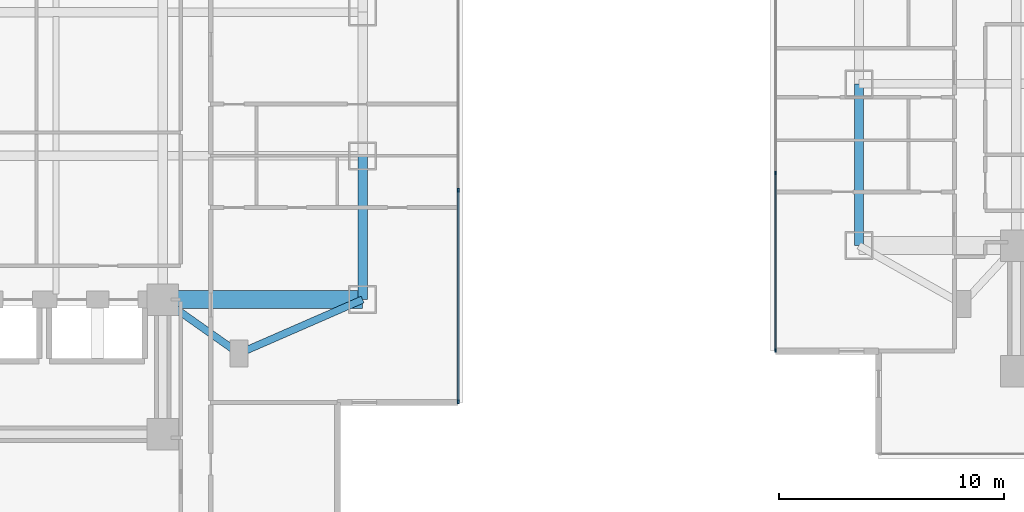
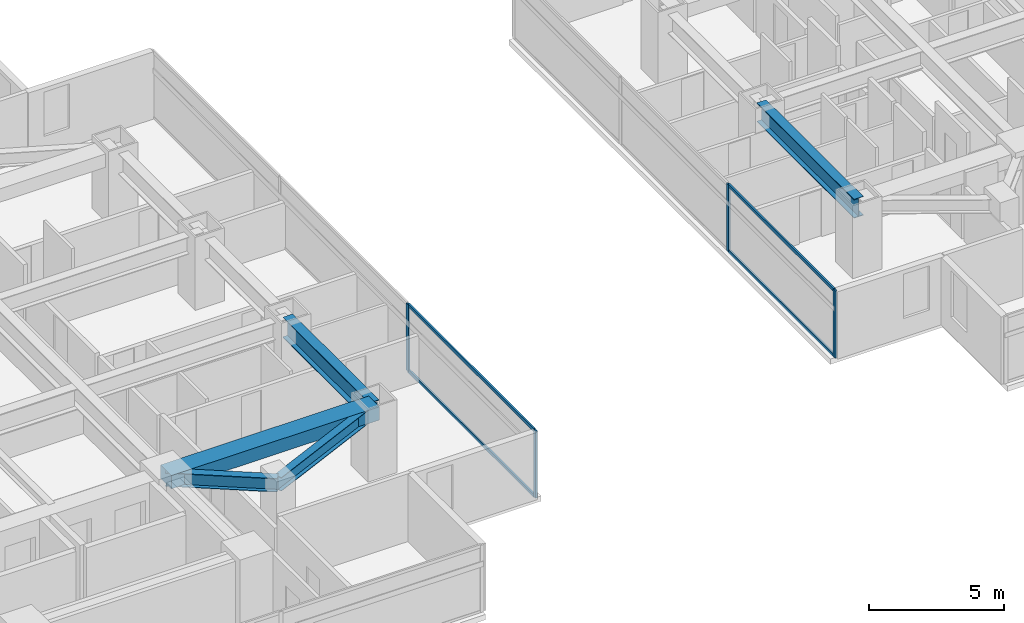
# One storey, part 5 of 27: 8 members, 5 beams, 2 elements without a shape of their own.
"""IFC4 building model written with IfcOpenShell, lengths in metres."""

from ifc_helpers import new_model, si_unit, direction, frame, origin, origin_2d, place, context, subcontext, project, spatial, rectangle, i_section, extrude, material, material_profile, profile_set, type_object, element, aggregate, save


model = new_model("IFC4")

# Units and contexts
model_context = context("Model", 3, precision=1e-05, world=origin(), true_north=direction((0.0, 1.0)))
body_context = subcontext(model_context, "Body", "Model", "MODEL_VIEW")
ifc_project = project(units=[si_unit("LENGTHUNIT", "METRE"), si_unit("AREAUNIT", "SQUARE_METRE"), si_unit("VOLUMEUNIT", "CUBIC_METRE"), si_unit("PLANEANGLEUNIT", "RADIAN"), si_unit("MASSUNIT", "GRAM", prefix="KILO")], contexts=[model_context])

# Site, building, storey
site_placement = place(None, origin())
site = spatial("IfcSite", under=ifc_project, at=site_placement, CompositionType="ELEMENT")
building_placement = place(site_placement, origin())
building = spatial("IfcBuilding", under=site, at=building_placement, Name="Mirazonda Arch Towers", CompositionType="ELEMENT")
storey_placement = place(building_placement, frame((0.0, 0.0, 42.199951171875)))
storey = spatial("IfcBuildingStorey", under=building, at=storey_placement, Name="L11", CompositionType="ELEMENT", Elevation=42.199951171875)

# Beams
ifc_material_1 = material(Name="Steel ASTM A992 Grade 50", Category="steel")
ifc_material_profile_1 = material_profile(ifc_material_1, i_section(OverallWidth=0.39990234375, OverallDepth=0.85595703125, WebThickness=0.018310546875, FlangeThickness=0.029296875, at=origin_2d()), Name="W33X201")
ifc_profile_set_1 = profile_set([ifc_material_profile_1], Name="Steel ASTM A992 Grade 50")
beam_type_1 = type_object("IfcBeamType", Name="BM-EXT-W33X201", PredefinedType="USERDEFINED", material=ifc_profile_set_1)
beam_1_placement = place(storey_placement, frame((61.0, 20.800048828125, 2.632080078125), z_axis=(0.0, 1.0, 0.0), x_axis=(-1.0, 0.0, 0.0)))
element("IfcBeam", 1, at=beam_1_placement, inside=storey, type_object=beam_type_1, Name="L11 Floor Beam BM-T2-L11-NS-W-20", ObjectType="GIRDER", PredefinedType="USERDEFINED", context=body_context, shape_type="SweptSolid", body=[
    extrude(i_section(OverallWidth=0.39990234375, OverallDepth=0.85595703125, WebThickness=0.018310546875, FlangeThickness=0.029296875, at=origin_2d()), origin(), (0.0, 0.0, 1.0), 7.199951171875),
])
ifc_material_profile_2 = material_profile(ifc_material_1, i_section(OverallWidth=0.41796875, OverallDepth=0.927001953125, WebThickness=0.019287109375, FlangeThickness=0.031982421875, at=origin_2d()), Name="W36X231")
ifc_profile_set_2 = profile_set([ifc_material_profile_2], Name="Steel ASTM A992 Grade 50")
beam_type_2 = type_object("IfcBeamType", Name="BM-EXT-W36X231", PredefinedType="USERDEFINED", material=ifc_profile_set_2)
beam_2_placement = place(storey_placement, frame((38.89990234375, 18.39990234375, 2.596435546875), z_axis=(0.0, 1.0, 0.0), x_axis=(-1.0, 0.0, 0.0)))
element("IfcBeam", 2, at=beam_2_placement, inside=storey, type_object=beam_type_2, Name="L11 Floor Beam BM-T1-L11-NS-E-18", ObjectType="GIRDER", PredefinedType="USERDEFINED", context=body_context, shape_type="SweptSolid", body=[
    extrude(i_section(OverallWidth=0.41796875, OverallDepth=0.927001953125, WebThickness=0.019287109375, FlangeThickness=0.031982421875, at=origin_2d()), origin(), (0.0, 0.0, 1.0), 6.400146484375),
])
ifc_material_profile_3 = material_profile(ifc_material_1, i_section(OverallWidth=0.324951171875, OverallDepth=0.615966796875, WebThickness=0.013916015625, FlangeThickness=0.021484375, at=origin_2d()), Name="W24X117")
ifc_profile_set_3 = profile_set([ifc_material_profile_3], Name="Steel ASTM A992 Grade 50")
beam_type_3 = type_object("IfcBeamType", Name="BM-INT-W24X117", PredefinedType="BEAM", material=ifc_profile_set_3)
beam_3_placement = place(storey_placement, frame((33.39990234375, 16.0, 2.751953125), z_axis=(-0.816971114901, 0.576678591087, 0.0), x_axis=(-0.576678591087, -0.816971114901, 0.0)))
element("IfcBeam", 3, at=beam_3_placement, inside=storey, type_object=beam_type_3, Name="L11 Floor Beam BM-T1-L11-PL-SE1", PredefinedType="BEAM", context=body_context, shape_type="SweptSolid", body=[
    extrude(i_section(OverallWidth=0.324951171875, OverallDepth=0.615966796875, WebThickness=0.013916015625, FlangeThickness=0.021484375, at=origin_2d()), origin(), (0.0, 0.0, 1.0), 4.16162109375),
])
beam_4_placement = place(storey_placement, frame((33.39990234375, 16.0, 2.751953125), z_axis=(0.916545343703, 0.399930785183, 0.0), x_axis=(-0.399930785183, 0.916545343703, 0.0)))
element("IfcBeam", 4, at=beam_4_placement, inside=storey, type_object=beam_type_3, Name="L11 Floor Beam BM-T1-L11-PL-SE2", PredefinedType="BEAM", context=body_context, shape_type="SweptSolid", body=[
    extrude(i_section(OverallWidth=0.324951171875, OverallDepth=0.615966796875, WebThickness=0.013916015625, FlangeThickness=0.021484375, at=origin_2d()), origin(), (0.0, 0.0, 1.0), 6.000732421875),
])
ifc_material_2 = material(Name="Concrete C60/75", Category="concrete")
ifc_material_profile_4 = material_profile(ifc_material_2, rectangle(XDim=0.800048828125, YDim=0.60009765625, at=origin_2d()), Name="RCCB800x600")
ifc_profile_set_4 = profile_set([ifc_material_profile_4], Name="Concrete C60/75")
beam_type_4 = type_object("IfcBeamType", Name="CB-INT-RCCB800x600", PredefinedType="SPANDREL", material=ifc_profile_set_4)
beam_5_placement = place(storey_placement, frame((30.0, 18.39990234375, 2.760009765625), z_axis=(1.0, 0.0, 0.0), x_axis=(0.0, 1.0, 0.0)))
element("IfcBeam", 5, at=beam_5_placement, inside=storey, type_object=beam_type_4, Name="L11 Floor Beam CBC-T1-L11-SE", PredefinedType="SPANDREL", context=body_context, shape_type="SweptSolid", body=[
    extrude(rectangle(XDim=0.800048828125, YDim=0.60009765625, at=origin_2d()), origin(), (0.0, 0.0, 1.0), 8.89990234375),
])

# Curtain wall, members
ifc_material_3 = material(Name="Anodised Aluminium and Low-E Glass", Category="aluminium")
curtain_wall_type = type_object("IfcCurtainWallType", Name="CW-HTL-UNIT", PredefinedType="NOTDEFINED", material=ifc_material_3)
curtain_wall_1_placement = place(storey_placement, origin())
curtain_wall_1 = element("IfcCurtainWall", 6, at=curtain_wall_1_placement, inside=storey, type_object=curtain_wall_type, Name="L11 T1 E Facade CW-L11-T1-E", PredefinedType="NOTDEFINED")
ifc_material_4 = material(Name="Anodised Aluminium Alloy", Category="aluminium")
ifc_material_profile_5 = material_profile(ifc_material_4, rectangle(XDim=0.074951171875, YDim=0.1650390625, at=origin_2d()), Name="ALU-MULL-75x165")
ifc_profile_set_5 = profile_set([ifc_material_profile_5], Name="Anodised Aluminium Alloy")
member_type_1 = type_object("IfcMemberType", Name="MULL-CW-HTL-UNIT", PredefinedType="MULLION", material=ifc_profile_set_5)
member_1_placement = place(storey_placement, frame((43.159912109375, 13.849609375, 0.0), z_axis=(0.0, 0.0, 1.0), x_axis=(-1.0, 0.0, 0.0)))
member_1 = element("IfcMember", 7, at=member_1_placement, type_object=member_type_1, Name="CW-112 mullion 1", PredefinedType="MULLION", context=body_context, shape_type="SweptSolid", body=[
    extrude(rectangle(XDim=0.074951171875, YDim=0.1650390625, at=origin_2d()), origin(), (0.0, 0.0, 1.0), 3.0400390625),
])
member_2_placement = place(storey_placement, frame((43.159912109375, 23.270751953125, 0.0), z_axis=(0.0, 0.0, 1.0), x_axis=(-1.0, 0.0, 0.0)))
member_2 = element("IfcMember", 8, at=member_2_placement, type_object=member_type_1, Name="CW-112 mullion 2", PredefinedType="MULLION", context=body_context, shape_type="SweptSolid", body=[
    extrude(rectangle(XDim=0.074951171875, YDim=0.1650390625, at=origin_2d()), origin(), (0.0, 0.0, 1.0), 3.0400390625),
])

curtain_wall_2_placement = place(storey_placement, origin())
curtain_wall_2 = element("IfcCurtainWall", 9, at=curtain_wall_2_placement, inside=storey, type_object=curtain_wall_type, Name="L11 T2 W Facade CW-L11-T2-W", PredefinedType="NOTDEFINED")
member_3_placement = place(storey_placement, frame((57.2919921875, 24.033447265625, 0.0), z_axis=(0.0, 0.0, 1.0), x_axis=(1.0, 0.0, 0.0)))
member_3 = element("IfcMember", 10, at=member_3_placement, type_object=member_type_1, Name="CW-112 mullion 3", PredefinedType="MULLION", context=body_context, shape_type="SweptSolid", body=[
    extrude(rectangle(XDim=0.074951171875, YDim=0.1650390625, at=origin_2d()), origin(), (0.0, 0.0, 1.0), 3.0400390625),
])
member_4_placement = place(storey_placement, frame((57.2919921875, 16.1376953125, 0.0), z_axis=(0.0, 0.0, 1.0), x_axis=(1.0, 0.0, 0.0)))
member_4 = element("IfcMember", 11, at=member_4_placement, type_object=member_type_1, Name="CW-112 mullion 4", PredefinedType="MULLION", context=body_context, shape_type="SweptSolid", body=[
    extrude(rectangle(XDim=0.074951171875, YDim=0.1650390625, at=origin_2d()), origin(), (0.0, 0.0, 1.0), 3.0400390625),
])

# Member
ifc_material_profile_6 = material_profile(ifc_material_4, rectangle(XDim=0.074951171875, YDim=0.14501953125, at=origin_2d()), Name="ALU-TRAN-75x145")
ifc_profile_set_6 = profile_set([ifc_material_profile_6], Name="Anodised Aluminium Alloy")
member_type_2 = type_object("IfcMemberType", Name="TRAN-CW-HTL-UNIT", PredefinedType="USERDEFINED", material=ifc_profile_set_6)
member_5_placement = place(storey_placement, frame((43.159912109375, 13.886962890625, 0.03759765625), z_axis=(0.0, 1.0, 0.0), x_axis=(-1.0, 0.0, 0.0)))
member_5 = element("IfcMember", 12, at=member_5_placement, type_object=member_type_2, Name="CW-112 transom 1.1", ObjectType="TRANSOM", PredefinedType="USERDEFINED", context=body_context, shape_type="SweptSolid", body=[
    extrude(rectangle(XDim=0.074951171875, YDim=0.14501953125, at=origin_2d()), origin(), (0.0, 0.0, 1.0), 9.34619140625),
])

member_6_placement = place(storey_placement, frame((43.159912109375, 13.886962890625, 3.00244140625), z_axis=(0.0, 1.0, 0.0), x_axis=(-1.0, 0.0, 0.0)))
member_6 = element("IfcMember", 13, at=member_6_placement, type_object=member_type_2, Name="CW-112 transom 1.2", ObjectType="TRANSOM", PredefinedType="USERDEFINED", context=body_context, shape_type="SweptSolid", body=[
    extrude(rectangle(XDim=0.074951171875, YDim=0.14501953125, at=origin_2d()), origin(), (0.0, 0.0, 1.0), 9.34619140625),
])

aggregate(curtain_wall_1, [member_1, member_2, member_5, member_6])

member_7_placement = place(storey_placement, frame((57.2919921875, 23.995849609375, 0.03759765625), z_axis=(0.0, -1.0, 0.0), x_axis=(1.0, 0.0, 0.0)))
member_7 = element("IfcMember", 14, at=member_7_placement, type_object=member_type_2, Name="CW-112 transom 3.1", ObjectType="TRANSOM", PredefinedType="USERDEFINED", context=body_context, shape_type="SweptSolid", body=[
    extrude(rectangle(XDim=0.074951171875, YDim=0.14501953125, at=origin_2d()), origin(), (0.0, 0.0, 1.0), 7.820556640625),
])

member_8_placement = place(storey_placement, frame((57.2919921875, 23.995849609375, 3.00244140625), z_axis=(0.0, -1.0, 0.0), x_axis=(1.0, 0.0, 0.0)))
member_8 = element("IfcMember", 15, at=member_8_placement, type_object=member_type_2, Name="CW-112 transom 3.2", ObjectType="TRANSOM", PredefinedType="USERDEFINED", context=body_context, shape_type="SweptSolid", body=[
    extrude(rectangle(XDim=0.074951171875, YDim=0.14501953125, at=origin_2d()), origin(), (0.0, 0.0, 1.0), 7.820556640625),
])

aggregate(curtain_wall_2, [member_3, member_4, member_7, member_8])

save(model, "model.ifc")
